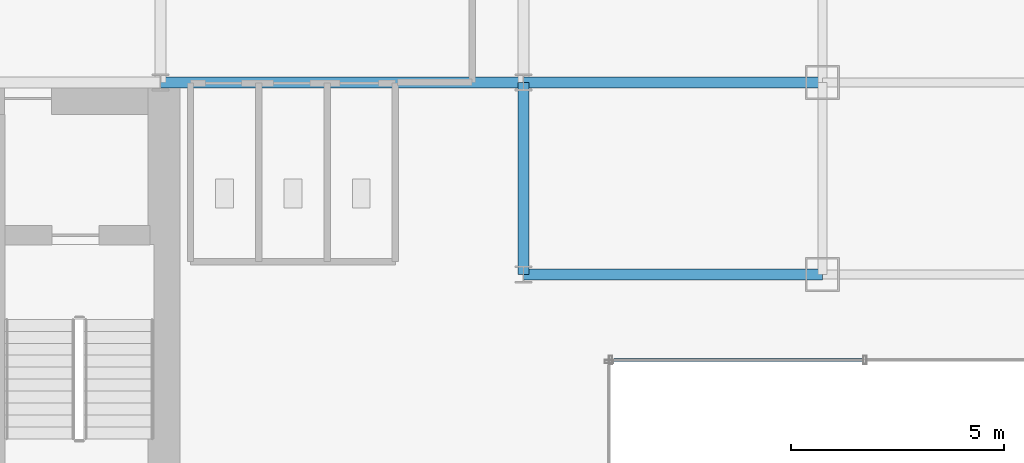
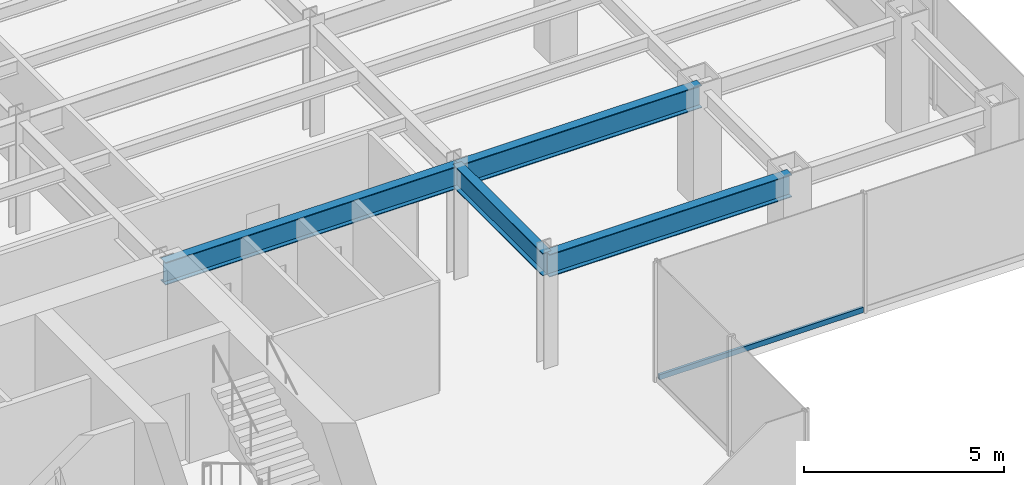
# One storey, part 9 of 26: 4 beams, 1 member, 1 element without a shape of its own.
"""IFC4 building model written with IfcOpenShell, lengths in metres."""

from ifc_helpers import new_model, si_unit, derived_unit, direction, frame, origin, origin_2d, place, context, subcontext, project, spatial, hollow_rectangle, i_section, extrude, source, transform, mapped, material, material_profile, profile_set, type_object, element, aggregate, save


model = new_model("IFC4")

# Units and contexts
model_context = context("Model", 3, precision=1e-05, world=origin(), true_north=direction((0.0, 1.0)))
body_context = subcontext(model_context, "Body", "Model", "MODEL_VIEW")
ifc_project = project(units=[si_unit("LENGTHUNIT", "METRE"), si_unit("AREAUNIT", "SQUARE_METRE"), si_unit("VOLUMEUNIT", "CUBIC_METRE"), si_unit("PLANEANGLEUNIT", "RADIAN"), si_unit("MASSUNIT", "GRAM", prefix="KILO"), derived_unit("THERMALTRANSMITTANCEUNIT", [(si_unit("POWERUNIT", "WATT"), 1), (si_unit("LENGTHUNIT", "METRE"), -2), (si_unit("THERMODYNAMICTEMPERATUREUNIT", "KELVIN"), -1)])], contexts=[model_context])

# Site, building, storey
site_placement = place(None, origin())
site = spatial("IfcSite", under=ifc_project, at=site_placement, CompositionType="ELEMENT")
building_placement = place(site_placement, origin())
building = spatial("IfcBuilding", under=site, at=building_placement, Name="Skarnbrae Concourse Arena and Tower", CompositionType="ELEMENT")
storey_placement = place(building_placement, frame((0.0, 0.0, 125.14990234375)))
storey = spatial("IfcBuildingStorey", under=building, at=storey_placement, Name="L31", CompositionType="ELEMENT", Elevation=125.14990234375)

# Beams
ifc_material_1 = material(Name="Steel CSA G40.21 350W", Category="steel")
ifc_material_profile_1 = material_profile(ifc_material_1, i_section(OverallWidth=0.256103515625, OverallDepth=0.693115234375, WebThickness=0.014404296875, FlangeThickness=0.023681640625, at=origin_2d()), Name="W690X170")
ifc_profile_set_1 = profile_set([ifc_material_profile_1], Name="Steel CSA G40.21 350W")
beam_type = type_object("IfcBeamType", Name="BM-GIRD-W690X170", PredefinedType="BEAM", material=ifc_profile_set_1)
shared_shape_1 = source(origin(), body_context, "Body", "SweptSolid", [
    extrude(i_section(OverallWidth=0.256103515625, OverallDepth=0.693115234375, WebThickness=0.014404296875, FlangeThickness=0.023681640625, at=origin_2d()), origin(), (0.0, 0.0, 1.0), 7.0),
])
for number, where, z_axis, x_axis, name in (
    (1, (42.0, 9.5, 3.0537109375), (1.0, 0.0, 0.0), (0.0, 1.0, 0.0), "L31 Primary E-W girder Y9.5-2"),
    (2, (42.0, 14.0, 3.0537109375), (1.0, 0.0, 0.0), (0.0, 1.0, 0.0), "L31 Primary E-W girder Y14.0-7"),
):
    element("IfcBeam", number, at=place(storey_placement, frame(where, z_axis=z_axis, x_axis=x_axis)), inside=storey, type_object=beam_type, Name=name, PredefinedType="BEAM", context=body_context, shape_type="MappedRepresentation", body=[
        mapped(shared_shape_1, transform((0.0, 0.0, 0.0))),
    ])
shared_shape_2 = source(origin(), body_context, "Body", "SweptSolid", [
    extrude(i_section(OverallWidth=0.256103515625, OverallDepth=0.693115234375, WebThickness=0.014404296875, FlangeThickness=0.023681640625, at=origin_2d()), origin(), (0.0, 0.0, 1.0), 8.5),
])
beam_1_placement = place(storey_placement, frame((33.5, 14.0, 3.0537109375), z_axis=(1.0, 0.0, 0.0), x_axis=(0.0, 1.0, 0.0)))
element("IfcBeam", 3, at=beam_1_placement, inside=storey, type_object=beam_type, Name="L31 Primary E-W girder Y14.0-6", PredefinedType="BEAM", context=body_context, shape_type="MappedRepresentation", body=[
    mapped(shared_shape_2, transform((0.0, 0.0, 0.0))),
])
shared_shape_3 = source(origin(), body_context, "Body", "SweptSolid", [
    extrude(i_section(OverallWidth=0.256103515625, OverallDepth=0.693115234375, WebThickness=0.014404296875, FlangeThickness=0.023681640625, at=origin_2d()), origin(), (0.0, 0.0, 1.0), 4.5),
])
beam_2_placement = place(storey_placement, frame((42.0, 9.5, 3.0537109375), z_axis=(0.0, 1.0, 0.0), x_axis=(-1.0, 0.0, 0.0)))
element("IfcBeam", 4, at=beam_2_placement, inside=storey, type_object=beam_type, Name="L31 Primary N-S girder X42.0-1", PredefinedType="BEAM", context=body_context, shape_type="MappedRepresentation", body=[
    mapped(shared_shape_3, transform((0.0, 0.0, 0.0))),
])

# Curtain wall, member
ifc_material_2 = material(Name="Bronze anodised aluminium 6063-T6", Category="aluminium")
curtain_wall_type = type_object("IfcCurtainWallType", Name="CW-SYS-04-MIDZONE", PredefinedType="USERDEFINED", material=ifc_material_2)
curtain_wall_placement = place(storey_placement, origin())
curtain_wall = element("IfcCurtainWall", 5, at=curtain_wall_placement, inside=storey, type_object=curtain_wall_type, Name="L31 Unitised curtain wall CW-L31-E03", ObjectType="UNITISED CURTAIN WALL", PredefinedType="USERDEFINED")
ifc_material_profile_2 = material_profile(ifc_material_2, hollow_rectangle(XDim=0.074951171875, YDim=0.159912109375, WallThickness=0.00439453125, at=origin_2d()), Name="ALU-TRAN-75X160")
ifc_profile_set_2 = profile_set([ifc_material_profile_2], Name="Bronze anodised aluminium 6063-T6")
member_type = type_object("IfcMemberType", Name="CWT-CW-04", PredefinedType="USERDEFINED", material=ifc_profile_set_2)
shared_shape_4 = source(origin(), body_context, "Body", "SweptSolid", [
    extrude(hollow_rectangle(XDim=0.074951171875, YDim=0.159912109375, WallThickness=0.00439453125, at=origin_2d()), origin(), (0.0, 0.0, 1.0), 5.887451171875),
])
member_placement = place(storey_placement, frame((44.074951171875, 7.5, 0.080078125), z_axis=(1.0, 0.0, 0.0), x_axis=(0.0, 1.0, 0.0)))
member = element("IfcMember", 6, at=member_placement, type_object=member_type, Name="CW-L31-E03 Transom 1", ObjectType="TRANSOM", PredefinedType="USERDEFINED", context=body_context, shape_type="MappedRepresentation", body=[
    mapped(shared_shape_4, transform((0.0, 0.0, 0.0))),
])
aggregate(curtain_wall, [member])

save(model, "model.ifc")
